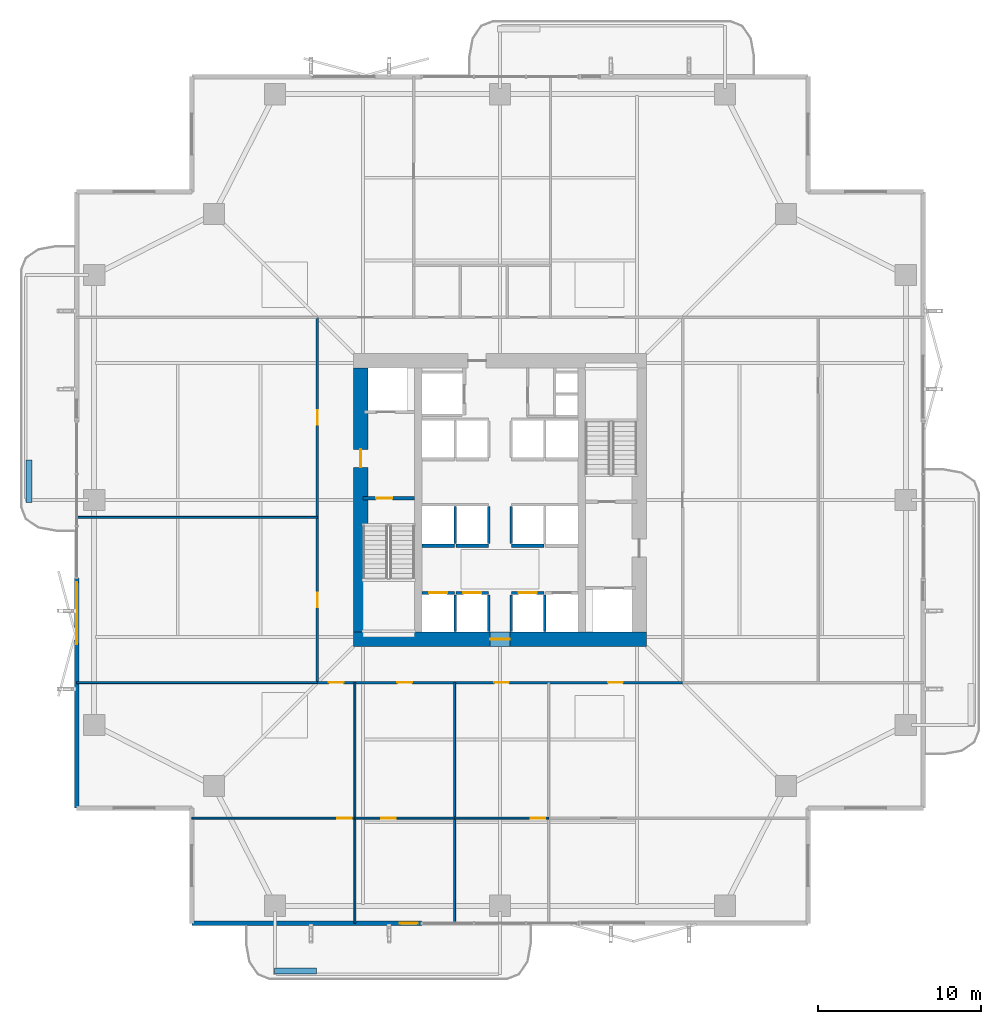
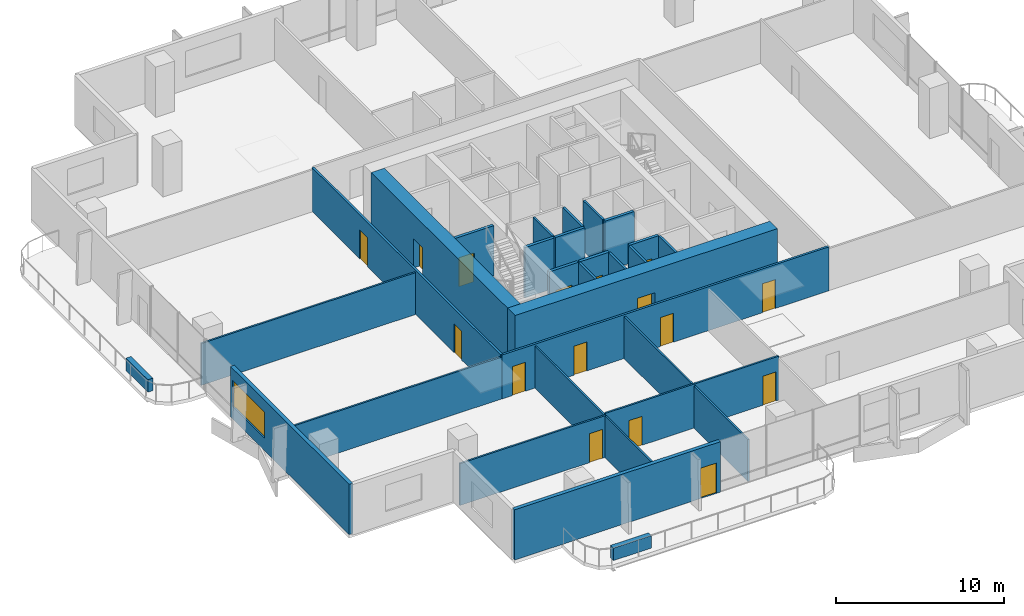
# One storey, part 17 of 23: 29 walls, 16 doors, 1 window, 17 openings.
"""IFC4 building model written with IfcOpenShell, lengths in metres."""

from ifc_helpers import new_model, si_unit, direction, frame, frame_2d, origin, place, context, subcontext, project, spatial, rectangle, extrude, material, layer, layer_set, type_object, element, fill, save


model = new_model("IFC4")

# Units and contexts
model_context = context("Model", 3, precision=1e-05, world=origin(), true_north=direction((0.0, 1.0)))
body_context = subcontext(model_context, "Body", "Model", "MODEL_VIEW")
ifc_project = project(units=[si_unit("LENGTHUNIT", "METRE"), si_unit("AREAUNIT", "SQUARE_METRE"), si_unit("VOLUMEUNIT", "CUBIC_METRE"), si_unit("PLANEANGLEUNIT", "RADIAN"), si_unit("MASSUNIT", "GRAM", prefix="KILO")], contexts=[model_context])

# Site, building, storey
site_placement = place(None, origin())
site = spatial("IfcSite", under=ifc_project, at=site_placement, CompositionType="ELEMENT")
building_placement = place(site_placement, origin())
building = spatial("IfcBuilding", under=site, at=building_placement, Name="Belovzor Exchange Tower", CompositionType="ELEMENT")
storey_placement = place(building_placement, frame((0.0, 0.0, 125.10009765625)))
storey = spatial("IfcBuildingStorey", under=building, at=storey_placement, Name="L30", CompositionType="ELEMENT", Elevation=125.10009765625)

# Wall, opening, door
ifc_material_1 = material(Name="Acoustic Plasterboard on Galvanised Studs", Category="gypsum")
ifc_layer_1 = layer(ifc_material_1, 0.1201171875)
ifc_layer_set_1 = layer_set([ifc_layer_1], Name="Acoustic Plasterboard on Galvanised Studs")
wall_type_1 = type_object("IfcWallType", Name="Acoustic Double-Stud Partition Wall 120", PredefinedType="PARTITIONING", material=ifc_layer_set_1)
wall_1_placement = place(storey_placement, frame((9.89990234375, 9.280029296875, 0.0), z_axis=(0.0, 0.0, 1.0), x_axis=(1.0, 0.0, 0.0)))
wall_1 = element("IfcWall", 1, at=wall_1_placement, inside=storey, type_object=wall_type_1, Name="W-P120 Partition Wall W-L30-SHDIV-0", PredefinedType="PARTITIONING", context=body_context, shape_type="SweptSolid", body=[
    extrude(rectangle(XDim=10.0, YDim=0.1201171875, at=frame_2d((5.0, 0.0))), origin(), (0.0, 0.0, 1.0), 3.034912109375),
])
opening_1_placement = place(wall_1_placement, frame((8.89990234375, 0.0, 0.0)))
opening_1 = element("IfcOpeningElement", 2, at=opening_1_placement, cuts=wall_1, Name="Opening D-INT-090", PredefinedType="OPENING", context=body_context, shape_type="SweptSolid", body=[
    extrude(rectangle(XDim=0.89990234375, YDim=2.10009765625, at=frame_2d((0.449951171875, 1.050048828125))), frame((0.0, 0.070068359375, 0.0), z_axis=(0.0, -1.0, 0.0), x_axis=(1.0, 0.0, 0.0)), (0.0, 0.0, 1.0), 0.14013671875),
])
ifc_material_2 = material(Name="Veneered Hardwood Acoustic Leaf", Category="wood")
door_type_1 = type_object("IfcDoorType", Name="Trading Suite Acoustic Single Door 900x2100", OperationType="NOTDEFINED", PredefinedType="DOOR", material=ifc_material_2)
door_1_placement = place(opening_1_placement, origin())
door_1 = element("IfcDoor", 3, at=door_1_placement, inside=storey, type_object=door_type_1, Name="D-INT-090 Trading Suite Acoustic Single Door 900x2100", OperationType="SINGLE_SWING_LEFT", OverallHeight=2.10009765625, OverallWidth=0.89990234375, PredefinedType="DOOR", context=body_context, shape_type="SweptSolid", body=[
    extrude(rectangle(XDim=0.89990234375, YDim=2.10009765625, at=frame_2d((0.449951171875, 1.050048828125))), frame((0.0, 0.02490234375, 0.0), z_axis=(0.0, -1.0, 0.0), x_axis=(1.0, 0.0, 0.0)), (0.0, 0.0, 1.0), 0.050048828125),
])
fill(opening_1, door_1)

# Wall
wall_2_placement = place(storey_placement, frame((19.89990234375, 2.830078125, 0.0), z_axis=(0.0, 0.0, 1.0), x_axis=(0.0, 1.0, 0.0)))
element("IfcWall", 4, at=wall_2_placement, inside=storey, type_object=wall_type_1, Name="W-P120 Partition Wall W-L30-SDIV-1", PredefinedType="PARTITIONING", context=body_context, shape_type="SweptSolid", body=[
    extrude(rectangle(XDim=14.77001953125, YDim=0.1201171875, at=frame_2d((7.385009765625, 0.0))), origin(), (0.0, 0.0, 1.0), 3.034912109375),
])

# Wall, opening, door
wall_3_placement = place(storey_placement, frame((19.89990234375, 9.280029296875, 0.0), z_axis=(0.0, 0.0, 1.0), x_axis=(1.0, 0.0, 0.0)))
wall_3 = element("IfcWall", 5, at=wall_3_placement, inside=storey, type_object=wall_type_1, Name="W-P120 Partition Wall W-L30-SHDIV-1", PredefinedType="PARTITIONING", context=body_context, shape_type="SweptSolid", body=[
    extrude(rectangle(XDim=6.114990234375, YDim=0.1201171875, at=frame_2d((3.0576171875, 0.0))), origin(), (0.0, 0.0, 1.0), 3.184814453125),
])
opening_2_placement = place(wall_3_placement, frame((1.60400390625, 0.0, 0.0)))
opening_2 = element("IfcOpeningElement", 6, at=opening_2_placement, cuts=wall_3, Name="Opening D-INT-090", PredefinedType="OPENING", context=body_context, shape_type="SweptSolid", body=[
    extrude(rectangle(XDim=0.89990234375, YDim=2.10009765625, at=frame_2d((0.449951171875, 1.050048828125))), frame((0.0, 0.070068359375, 0.0), z_axis=(0.0, -1.0, 0.0), x_axis=(1.0, 0.0, 0.0)), (0.0, 0.0, 1.0), 0.14013671875),
])
door_2_placement = place(opening_2_placement, origin())
door_2 = element("IfcDoor", 7, at=door_2_placement, inside=storey, type_object=door_type_1, Name="D-INT-090 Trading Suite Acoustic Single Door 900x2100", OperationType="SINGLE_SWING_LEFT", OverallHeight=2.10009765625, OverallWidth=0.89990234375, PredefinedType="DOOR", context=body_context, shape_type="SweptSolid", body=[
    extrude(rectangle(XDim=0.89990234375, YDim=2.10009765625, at=frame_2d((0.449951171875, 1.050048828125))), frame((0.0, 0.02490234375, 0.0), z_axis=(0.0, -1.0, 0.0), x_axis=(1.0, 0.0, 0.0)), (0.0, 0.0, 1.0), 0.050048828125),
])
fill(opening_2, door_2)

# Wall
wall_4_placement = place(storey_placement, frame((26.014892578125, 2.830078125, 0.0), z_axis=(0.0, 0.0, 1.0), x_axis=(0.0, 1.0, 0.0)))
element("IfcWall", 8, at=wall_4_placement, inside=storey, type_object=wall_type_1, Name="W-P120 Partition Wall W-L30-SDIV-2", PredefinedType="PARTITIONING", context=body_context, shape_type="SweptSolid", body=[
    extrude(rectangle(XDim=14.77001953125, YDim=0.1201171875, at=frame_2d((7.385009765625, 0.0))), origin(), (0.0, 0.0, 1.0), 3.034912109375),
])

# Wall, opening, door
wall_5_placement = place(storey_placement, frame((26.014892578125, 9.280029296875, 0.0), z_axis=(0.0, 0.0, 1.0), x_axis=(1.0, 0.0, 0.0)))
wall_5 = element("IfcWall", 9, at=wall_5_placement, inside=storey, type_object=wall_type_1, Name="W-P120 Partition Wall W-L30-SHDIV-2", PredefinedType="PARTITIONING", context=body_context, shape_type="SweptSolid", body=[
    extrude(rectangle(XDim=5.76513671875, YDim=0.1201171875, at=frame_2d((2.882568359375, 0.0))), origin(), (0.0, 0.0, 1.0), 3.184814453125),
])
opening_3_placement = place(wall_5_placement, frame((4.6650390625, 0.0, 0.0)))
opening_3 = element("IfcOpeningElement", 10, at=opening_3_placement, cuts=wall_5, Name="Opening D-INT-090", PredefinedType="OPENING", context=body_context, shape_type="SweptSolid", body=[
    extrude(rectangle(XDim=0.89990234375, YDim=2.10009765625, at=frame_2d((0.449951171875, 1.050048828125))), frame((0.0, 0.070068359375, 0.0), z_axis=(0.0, -1.0, 0.0), x_axis=(1.0, 0.0, 0.0)), (0.0, 0.0, 1.0), 0.14013671875),
])
door_3_placement = place(opening_3_placement, origin())
door_3 = element("IfcDoor", 11, at=door_3_placement, inside=storey, type_object=door_type_1, Name="D-INT-090 Trading Suite Acoustic Single Door 900x2100", OperationType="SINGLE_SWING_LEFT", OverallHeight=2.10009765625, OverallWidth=0.89990234375, PredefinedType="DOOR", context=body_context, shape_type="SweptSolid", body=[
    extrude(rectangle(XDim=0.89990234375, YDim=2.10009765625, at=frame_2d((0.449951171875, 1.050048828125))), frame((0.0, 0.02490234375, 0.0), z_axis=(0.0, -1.0, 0.0), x_axis=(1.0, 0.0, 0.0)), (0.0, 0.0, 1.0), 0.050048828125),
])
fill(opening_3, door_3)

# Walls
for number, where, z_axis, x_axis, name in (
    (12, (2.830078125, 17.60009765625, 0.0), (0.0, 0.0, 1.0), (1.0, 0.0, 0.0), "W-P120 Partition Wall W-L30-END-SW"),
    (13, (2.830078125, 27.73193359375, 0.0), (0.0, 0.0, 1.0), (1.0, 0.0, 0.0), "W-P120 Partition Wall W-L30-WDIV-1"),
):
    element("IfcWall", number, at=place(storey_placement, frame(where, z_axis=z_axis, x_axis=x_axis)), inside=storey, type_object=wall_type_1, Name=name, PredefinedType="PARTITIONING", context=body_context, shape_type="SweptSolid", body=[
        extrude(rectangle(XDim=14.77001953125, YDim=0.1201171875, at=frame_2d((7.385009765625, 0.0))), origin(), (0.0, 0.0, 1.0), 3.034912109375),
    ])

# Wall, openings, doors
ifc_material_3 = material(Name="Fire-Rated Gypsum Block and Mineral Wool", Category="gypsum")
ifc_layer_2 = layer(ifc_material_3, 0.14990234375)
ifc_layer_set_2 = layer_set([ifc_layer_2], Name="Fire-Rated Gypsum Block and Mineral Wool")
wall_type_2 = type_object("IfcWallType", Name="Fire-Rated Gypsum Block Corridor Wall 150", PredefinedType="PARTITIONING", material=ifc_layer_set_2)
wall_6_placement = place(storey_placement, frame((17.60009765625, 17.60009765625, 0.0), z_axis=(0.0, 0.0, 1.0), x_axis=(1.0, 0.0, 0.0)))
wall_6 = element("IfcWall", 14, at=wall_6_placement, inside=storey, type_object=wall_type_2, Name="W-P150 Partition Wall W-L30-CS", PredefinedType="PARTITIONING", context=body_context, shape_type="SweptSolid", body=[
    extrude(rectangle(XDim=22.39990234375, YDim=0.14990234375, at=frame_2d((11.199951171875, 0.0))), origin(), (0.0, 0.0, 1.0), 3.184814453125),
])
opening_4_placement = place(wall_6_placement, frame((0.699951171875, 0.0, 0.0)))
opening_4 = element("IfcOpeningElement", 15, at=opening_4_placement, cuts=wall_6, Name="Opening D-INT-090", PredefinedType="OPENING", context=body_context, shape_type="SweptSolid", body=[
    extrude(rectangle(XDim=0.89990234375, YDim=2.10009765625, at=frame_2d((0.449951171875, 1.050048828125))), frame((0.0, 0.0849609375, 0.0), z_axis=(0.0, -1.0, 0.0), x_axis=(1.0, 0.0, 0.0)), (0.0, 0.0, 1.0), 0.169921875),
])
opening_5_placement = place(wall_6_placement, frame((4.906982421875, 0.0, 0.0)))
opening_5 = element("IfcOpeningElement", 16, at=opening_5_placement, cuts=wall_6, Name="Opening D-INT-090", PredefinedType="OPENING", context=body_context, shape_type="SweptSolid", body=[
    extrude(rectangle(XDim=0.89990234375, YDim=2.10009765625, at=frame_2d((0.449951171875, 1.050048828125))), frame((0.0, 0.0849609375, 0.0), z_axis=(0.0, -1.0, 0.0), x_axis=(1.0, 0.0, 0.0)), (0.0, 0.0, 1.0), 0.169921875),
])
opening_6_placement = place(wall_6_placement, frame((10.847900390625, 0.0, 0.0)))
opening_6 = element("IfcOpeningElement", 17, at=opening_6_placement, cuts=wall_6, Name="Opening D-INT-090", PredefinedType="OPENING", context=body_context, shape_type="SweptSolid", body=[
    extrude(rectangle(XDim=0.89990234375, YDim=2.10009765625, at=frame_2d((0.449951171875, 1.050048828125))), frame((0.0, 0.0849609375, 0.0), z_axis=(0.0, -1.0, 0.0), x_axis=(1.0, 0.0, 0.0)), (0.0, 0.0, 1.0), 0.169921875),
])
opening_7_placement = place(wall_6_placement, frame((17.840087890625, 0.0, 0.0)))
opening_7 = element("IfcOpeningElement", 18, at=opening_7_placement, cuts=wall_6, Name="Opening D-INT-090", PredefinedType="OPENING", context=body_context, shape_type="SweptSolid", body=[
    extrude(rectangle(XDim=0.89990234375, YDim=2.10009765625, at=frame_2d((0.449951171875, 1.050048828125))), frame((0.0, 0.0849609375, 0.0), z_axis=(0.0, -1.0, 0.0), x_axis=(1.0, 0.0, 0.0)), (0.0, 0.0, 1.0), 0.169921875),
])
door_4_placement = place(opening_4_placement, origin())
door_4 = element("IfcDoor", 19, at=door_4_placement, inside=storey, type_object=door_type_1, Name="D-INT-090 Trading Suite Acoustic Single Door 900x2100", OperationType="SINGLE_SWING_RIGHT", OverallHeight=2.10009765625, OverallWidth=0.89990234375, PredefinedType="DOOR", context=body_context, shape_type="SweptSolid", body=[
    extrude(rectangle(XDim=0.89990234375, YDim=2.10009765625, at=frame_2d((0.449951171875, 1.050048828125))), frame((0.0, 0.02490234375, 0.0), z_axis=(0.0, -1.0, 0.0), x_axis=(1.0, 0.0, 0.0)), (0.0, 0.0, 1.0), 0.050048828125),
])
fill(opening_4, door_4)
door_5_placement = place(opening_5_placement, origin())
door_5 = element("IfcDoor", 20, at=door_5_placement, inside=storey, type_object=door_type_1, Name="D-INT-090 Trading Suite Acoustic Single Door 900x2100", OperationType="SINGLE_SWING_LEFT", OverallHeight=2.10009765625, OverallWidth=0.89990234375, PredefinedType="DOOR", context=body_context, shape_type="SweptSolid", body=[
    extrude(rectangle(XDim=0.89990234375, YDim=2.10009765625, at=frame_2d((0.449951171875, 1.050048828125))), frame((0.0, 0.02490234375, 0.0), z_axis=(0.0, -1.0, 0.0), x_axis=(1.0, 0.0, 0.0)), (0.0, 0.0, 1.0), 0.050048828125),
])
fill(opening_5, door_5)
door_6_placement = place(opening_6_placement, origin())
door_6 = element("IfcDoor", 21, at=door_6_placement, inside=storey, type_object=door_type_1, Name="D-INT-090 Trading Suite Acoustic Single Door 900x2100", OperationType="SINGLE_SWING_RIGHT", OverallHeight=2.10009765625, OverallWidth=0.89990234375, PredefinedType="DOOR", context=body_context, shape_type="SweptSolid", body=[
    extrude(rectangle(XDim=0.89990234375, YDim=2.10009765625, at=frame_2d((0.449951171875, 1.050048828125))), frame((0.0, 0.02490234375, 0.0), z_axis=(0.0, -1.0, 0.0), x_axis=(1.0, 0.0, 0.0)), (0.0, 0.0, 1.0), 0.050048828125),
])
fill(opening_6, door_6)
door_7_placement = place(opening_7_placement, origin())
door_7 = element("IfcDoor", 22, at=door_7_placement, inside=storey, type_object=door_type_1, Name="D-INT-090 Trading Suite Acoustic Single Door 900x2100", OperationType="SINGLE_SWING_LEFT", OverallHeight=2.10009765625, OverallWidth=0.89990234375, PredefinedType="DOOR", context=body_context, shape_type="SweptSolid", body=[
    extrude(rectangle(XDim=0.89990234375, YDim=2.10009765625, at=frame_2d((0.449951171875, 1.050048828125))), frame((0.0, 0.02490234375, 0.0), z_axis=(0.0, -1.0, 0.0), x_axis=(1.0, 0.0, 0.0)), (0.0, 0.0, 1.0), 0.050048828125),
])
fill(opening_7, door_7)

wall_7_placement = place(storey_placement, frame((17.60009765625, 17.60009765625, 0.0), z_axis=(0.0, 0.0, 1.0), x_axis=(0.0, 1.0, 0.0)))
wall_7 = element("IfcWall", 23, at=wall_7_placement, inside=storey, type_object=wall_type_2, Name="W-P150 Partition Wall W-L30-CW", PredefinedType="PARTITIONING", context=body_context, shape_type="SweptSolid", body=[
    extrude(rectangle(XDim=22.39990234375, YDim=0.14990234375, at=frame_2d((11.199951171875, 0.0))), origin(), (0.0, 0.0, 1.0), 3.184814453125),
])
opening_8_placement = place(wall_7_placement, frame((4.615966796875, 0.0, 0.0)))
opening_8 = element("IfcOpeningElement", 24, at=opening_8_placement, cuts=wall_7, Name="Opening D-INT-090", PredefinedType="OPENING", context=body_context, shape_type="SweptSolid", body=[
    extrude(rectangle(XDim=0.89990234375, YDim=2.10009765625, at=frame_2d((0.449951171875, 1.050048828125))), frame((0.0, 0.0849609375, 0.0), z_axis=(0.0, -1.0, 0.0), x_axis=(1.0, 0.0, 0.0)), (0.0, 0.0, 1.0), 0.169921875),
])
opening_9_placement = place(wall_7_placement, frame((15.81591796875, 0.0, 0.0)))
opening_9 = element("IfcOpeningElement", 25, at=opening_9_placement, cuts=wall_7, Name="Opening D-INT-090", PredefinedType="OPENING", context=body_context, shape_type="SweptSolid", body=[
    extrude(rectangle(XDim=0.89990234375, YDim=2.10009765625, at=frame_2d((0.449951171875, 1.050048828125))), frame((0.0, 0.0849609375, 0.0), z_axis=(0.0, -1.0, 0.0), x_axis=(1.0, 0.0, 0.0)), (0.0, 0.0, 1.0), 0.169921875),
])
door_8_placement = place(opening_8_placement, origin())
door_8 = element("IfcDoor", 26, at=door_8_placement, inside=storey, type_object=door_type_1, Name="D-INT-090 Trading Suite Acoustic Single Door 900x2100", OperationType="SINGLE_SWING_RIGHT", OverallHeight=2.10009765625, OverallWidth=0.89990234375, PredefinedType="DOOR", context=body_context, shape_type="SweptSolid", body=[
    extrude(rectangle(XDim=0.89990234375, YDim=2.10009765625, at=frame_2d((0.449951171875, 1.050048828125))), frame((0.0, 0.02490234375, 0.0), z_axis=(0.0, -1.0, 0.0), x_axis=(1.0, 0.0, 0.0)), (0.0, 0.0, 1.0), 0.050048828125),
])
fill(opening_8, door_8)
door_9_placement = place(opening_9_placement, origin())
door_9 = element("IfcDoor", 27, at=door_9_placement, inside=storey, type_object=door_type_1, Name="D-INT-090 Trading Suite Acoustic Single Door 900x2100", OperationType="SINGLE_SWING_LEFT", OverallHeight=2.10009765625, OverallWidth=0.89990234375, PredefinedType="DOOR", context=body_context, shape_type="SweptSolid", body=[
    extrude(rectangle(XDim=0.89990234375, YDim=2.10009765625, at=frame_2d((0.449951171875, 1.050048828125))), frame((0.0, 0.02490234375, 0.0), z_axis=(0.0, -1.0, 0.0), x_axis=(1.0, 0.0, 0.0)), (0.0, 0.0, 1.0), 0.050048828125),
])
fill(opening_9, door_9)

# Wall, opening, door
ifc_material_4 = material(Name="Precast concrete C40/50", Category="concrete")
ifc_layer_3 = layer(ifc_material_4, 0.260009765625)
ifc_layer_set_3 = layer_set([ifc_layer_3], Name="Precast concrete C40/50")
wall_type_3 = type_object("IfcWallType", Name="Precast Concrete Perimeter Loggia Frame Wall 260", PredefinedType="SOLIDWALL", material=ifc_layer_set_3)
wall_8_placement = place(storey_placement, frame((24.0, 2.830078125, 0.0), z_axis=(0.0, 0.0, 1.0), x_axis=(-1.0, 0.0, 0.0)))
wall_8 = element("IfcWall", 28, at=wall_8_placement, inside=storey, type_object=wall_type_3, Name="W-EXT260 Precast Concrete Perimeter Loggia Frame Wall 260 L30", PredefinedType="SOLIDWALL", context=body_context, shape_type="SweptSolid", body=[
    extrude(rectangle(XDim=14.10009765625, YDim=0.260009765625, at=frame_2d((7.050048828125, 0.0))), origin(), (0.0, 0.0, 1.0), 3.64990234375),
])
opening_10_placement = place(wall_8_placement, frame((0.25, 0.0, 0.0)))
opening_10 = element("IfcOpeningElement", 29, at=opening_10_placement, cuts=wall_8, Name="Opening D-BAL110", PredefinedType="OPENING", context=body_context, shape_type="SweptSolid", body=[
    extrude(rectangle(XDim=1.10009765625, YDim=2.199951171875, at=frame_2d((0.550048828125, 1.10009765625))), frame((0.0, 0.139892578125, 0.0), z_axis=(0.0, -1.0, 0.0), x_axis=(1.0, 0.0, 0.0)), (0.0, 0.0, 1.0), 0.280029296875),
])
ifc_material_5 = material(Name="Thermally Broken Anodised Aluminium and Laminated Glass", Category="aluminium")
door_type_2 = type_object("IfcDoorType", Name="Planted Loggia Terrace Glazed Door 1100x2200", OperationType="SINGLE_SWING_LEFT", PredefinedType="DOOR", material=ifc_material_5)
door_10_placement = place(opening_10_placement, origin())
door_10 = element("IfcDoor", 30, at=door_10_placement, inside=storey, type_object=door_type_2, Name="D-BAL110 Balcony Terrace Door L30 S", OperationType="SINGLE_SWING_LEFT", OverallHeight=2.199951171875, OverallWidth=1.10009765625, PredefinedType="DOOR", context=body_context, shape_type="SweptSolid", body=[
    extrude(rectangle(XDim=1.10009765625, YDim=2.199951171875, at=frame_2d((0.550048828125, 1.10009765625))), frame((0.0, 0.02490234375, 0.0), z_axis=(0.0, -1.0, 0.0), x_axis=(1.0, 0.0, 0.0)), (0.0, 0.0, 1.0), 0.050048828125),
])
fill(opening_10, door_10)

# Wall, opening, window
wall_9_placement = place(storey_placement, frame((2.830078125, 9.89990234375, 0.0), z_axis=(0.0, 0.0, 1.0), x_axis=(0.0, 1.0, 0.0)))
wall_9 = element("IfcWall", 31, at=wall_9_placement, inside=storey, type_object=wall_type_3, Name="W-EXT260 Precast Concrete Perimeter Loggia Frame Wall 260 L30", PredefinedType="SOLIDWALL", context=body_context, shape_type="SweptSolid", body=[
    extrude(rectangle(XDim=14.10009765625, YDim=0.260009765625, at=frame_2d((7.050048828125, 0.0))), origin(), (0.0, 0.0, 1.0), 3.64990234375),
])
opening_11_placement = place(wall_9_placement, frame((10.050048828125, 0.0, 0.89990234375)))
opening_11 = element("IfcOpeningElement", 32, at=opening_11_placement, cuts=wall_9, Name="Opening WN-RIB380", PredefinedType="OPENING", context=body_context, shape_type="SweptSolid", body=[
    extrude(rectangle(XDim=3.800048828125, YDim=1.89990234375, at=frame_2d((1.89990234375, 0.949951171875))), frame((0.0, 0.139892578125, 0.0), z_axis=(0.0, -1.0, 0.0), x_axis=(1.0, 0.0, 0.0)), (0.0, 0.0, 1.0), 0.280029296875),
])
ifc_material_6 = material(Name="Thermally Broken Aluminium and Triple Glazing", Category="aluminium")
window_type = type_object("IfcWindowType", Name="Streamline Moderne Horizontal Ribbon Window 3800x1900", PartitioningType="SINGLE_PANEL", PredefinedType="WINDOW", material=ifc_material_6)
window_placement = place(opening_11_placement, origin())
window = element("IfcWindow", 33, at=window_placement, inside=storey, type_object=window_type, Name="WN-RIB380 Streamline Moderne Horizontal Ribbon Window 3800x1900", OverallHeight=1.89990234375, OverallWidth=3.800048828125, PartitioningType="SINGLE_PANEL", PredefinedType="WINDOW", context=body_context, shape_type="SweptSolid", body=[
    extrude(rectangle(XDim=3.800048828125, YDim=1.89990234375, at=frame_2d((1.89990234375, 0.949951171875))), frame((0.0, 0.030029296875, 0.0), z_axis=(0.0, -1.0, 0.0), x_axis=(1.0, 0.0, 0.0)), (0.0, 0.0, 1.0), 0.06005859375),
])
fill(opening_11, window)

# Walls
ifc_material_7 = material(Name="Precast concrete C40/50", Category="concrete")
ifc_layer_4 = layer(ifc_material_7, 0.35009765625)
ifc_layer_set_4 = layer_set([ifc_layer_4], Name="Precast concrete C40/50")
wall_type_4 = type_object("IfcWallType", Name="Precast Concrete Structural Tree Planter Trough 350", PredefinedType="PARAPET", material=ifc_layer_set_4)
for number, where, z_axis, x_axis, name in (
    (34, (14.949951171875, -0.10009765625, 0.0), (0.0, 0.0, 1.0), (1.0, 0.0, 0.0), "PT-350 Precast Concrete Structural Tree Planter Trough 350 L30"),
    (35, (-0.10009765625, 28.64990234375, 0.0), (0.0, 0.0, 1.0), (0.0, 1.0, 0.0), "PT-350 Precast Concrete Structural Tree Planter Trough 350 L30"),
):
    element("IfcWall", number, at=place(storey_placement, frame(where, z_axis=z_axis, x_axis=x_axis)), inside=storey, type_object=wall_type_4, Name=name, PredefinedType="PARAPET", context=body_context, shape_type="SweptSolid", body=[
        extrude(rectangle(XDim=2.60009765625, YDim=0.35009765625, at=frame_2d((1.300048828125, 0.0))), origin(), (0.0, 0.0, 1.0), 0.89990234375),
    ])
ifc_material_8 = material(Name="Concrete C50/60", Category="concrete")
ifc_layer_5 = layer(ifc_material_8, 0.14990234375)
ifc_layer_set_5 = layer_set([ifc_layer_5], Name="Concrete C50/60")
wall_type_5 = type_object("IfcWallType", Name="Reinforced Concrete Core Riser Shear Wall 150", PredefinedType="SHEAR", material=ifc_layer_set_5)
for number, where, z_axis, x_axis, name in (
    (36, (26.050048828125, 20.719970703125, 0.0), (0.0, 0.0, 1.0), (0.0, 1.0, 0.0), "W-C150S Core Shaft Wall W-SHD-L30-PLL-1"),
    (37, (28.10009765625, 20.719970703125, 0.0), (0.0, 0.0, 1.0), (0.0, 1.0, 0.0), "W-C150S Core Shaft Wall W-SHD-L30-PLL-2"),
    (38, (29.5, 20.719970703125, 0.0), (0.0, 0.0, 1.0), (0.0, 1.0, 0.0), "W-C150S Core Shaft Wall W-SHD-L30-PLL-3"),
    (39, (31.550048828125, 20.719970703125, 0.0), (0.0, 0.0, 1.0), (0.0, 1.0, 0.0), "W-C150S Core Shaft Wall W-SHD-L30-PLL-4"),
):
    element("IfcWall", number, at=place(storey_placement, frame(where, z_axis=z_axis, x_axis=x_axis)), inside=storey, type_object=wall_type_5, Name=name, PredefinedType="SHEAR", context=body_context, shape_type="SweptSolid", body=[
        extrude(rectangle(XDim=2.260009765625, YDim=0.14990234375, at=frame_2d((1.1298828125, 0.0))), origin(), (0.0, 0.0, 1.0), 3.64990234375),
    ])
for number, where, z_axis, x_axis, name in (
    (40, (26.050048828125, 26.1201171875, 0.0), (0.0, 0.0, 1.0), (0.0, 1.0, 0.0), "W-C150S Core Shaft Wall W-SHD-L30-PLM-1"),
    (41, (28.10009765625, 26.1201171875, 0.0), (0.0, 0.0, 1.0), (0.0, 1.0, 0.0), "W-C150S Core Shaft Wall W-SHD-L30-PLM-2"),
    (42, (29.5, 26.1201171875, 0.0), (0.0, 0.0, 1.0), (0.0, 1.0, 0.0), "W-C150S Core Shaft Wall W-SHD-L30-PLM-3"),
):
    element("IfcWall", number, at=place(storey_placement, frame(where, z_axis=z_axis, x_axis=x_axis)), inside=storey, type_object=wall_type_5, Name=name, PredefinedType="SHEAR", context=body_context, shape_type="SweptSolid", body=[
        extrude(rectangle(XDim=2.27978515625, YDim=0.14990234375, at=frame_2d((1.139892578125, 0.0))), origin(), (0.0, 0.0, 1.0), 3.64990234375),
    ])

# Wall, opening, door
ifc_material_9 = material(Name="Concrete C50/60", Category="concrete")
ifc_layer_6 = layer(ifc_material_9, 0.199951171875)
ifc_layer_set_6 = layer_set([ifc_layer_6], Name="Concrete C50/60")
wall_type_6 = type_object("IfcWallType", Name="Reinforced Concrete Core Shaft Shear Wall 200", PredefinedType="SHEAR", material=ifc_layer_set_6)
wall_10_placement = place(storey_placement, frame((20.39990234375, 28.89990234375, 0.0), z_axis=(0.0, 0.0, 1.0), x_axis=(1.0, 0.0, 0.0)))
wall_10 = element("IfcWall", 43, at=wall_10_placement, inside=storey, type_object=wall_type_6, Name="W-C200S Core Shaft Wall W-CORE-L30-FFLW1", PredefinedType="SHEAR", context=body_context, shape_type="SweptSolid", body=[
    extrude(rectangle(XDim=3.150146484375, YDim=0.199951171875, at=frame_2d((1.5751953125, 0.0))), origin(), (0.0, 0.0, 1.0), 3.64990234375),
])
opening_12_placement = place(wall_10_placement, frame((0.800048828125, 0.0, 0.0)))
opening_12 = element("IfcOpeningElement", 44, at=opening_12_placement, cuts=wall_10, Name="Opening D-FD90-100", PredefinedType="OPENING", context=body_context, shape_type="SweptSolid", body=[
    extrude(rectangle(XDim=1.0, YDim=2.10009765625, at=frame_2d((0.5, 1.050048828125))), frame((0.0, 0.10986328125, 0.0), z_axis=(0.0, -1.0, 0.0), x_axis=(1.0, 0.0, 0.0)), (0.0, 0.0, 1.0), 0.219970703125),
])
ifc_material_10 = material(Name="Fire-Rated Galvanised Steel Leaf", Category="steel")
door_type_3 = type_object("IfcDoorType", Name="Protected Stairwell Single Fire Door 1000x2100", OperationType="NOTDEFINED", PredefinedType="DOOR", material=ifc_material_10)
door_11_placement = place(opening_12_placement, origin())
door_11 = element("IfcDoor", 45, at=door_11_placement, inside=storey, type_object=door_type_3, Name="D-FD90-100 Protected Stairwell Single Fire Door 1000x2100", OperationType="SINGLE_SWING_RIGHT", OverallHeight=2.10009765625, OverallWidth=1.0, PredefinedType="DOOR", context=body_context, shape_type="SweptSolid", body=[
    extrude(rectangle(XDim=1.0, YDim=2.10009765625, at=frame_2d((0.5, 1.050048828125))), frame((0.0, 0.02490234375, 0.0), z_axis=(0.0, -1.0, 0.0), x_axis=(1.0, 0.0, 0.0)), (0.0, 0.0, 1.0), 0.050048828125),
])
fill(opening_12, door_11)

wall_11_placement = place(storey_placement, frame((24.0, 23.10009765625, 0.0), z_axis=(0.0, 0.0, 1.0), x_axis=(1.0, 0.0, 0.0)))
wall_11 = element("IfcWall", 46, at=wall_11_placement, inside=storey, type_object=wall_type_6, Name="W-C200S Core Shaft Wall W-SH-L30-PL-L1", PredefinedType="SHEAR", context=body_context, shape_type="SweptSolid", body=[
    extrude(rectangle(XDim=2.0, YDim=0.199951171875, at=frame_2d((1.0, 0.0))), origin(), (0.0, 0.0, 1.0), 3.64990234375),
])
opening_13_placement = place(wall_11_placement, frame((0.449951171875, 0.0, 0.0)))
opening_13 = element("IfcOpeningElement", 47, at=opening_13_placement, cuts=wall_11, Name="Opening LD-110", PredefinedType="OPENING", context=body_context, shape_type="SweptSolid", body=[
    extrude(rectangle(XDim=1.10009765625, YDim=2.14990234375, at=frame_2d((0.550048828125, 1.074951171875))), frame((0.0, 0.10986328125, 0.0), z_axis=(0.0, -1.0, 0.0), x_axis=(1.0, 0.0, 0.0)), (0.0, 0.0, 1.0), 0.219970703125),
])
ifc_material_11 = material(Name="Stainless Steel Grade 304", Category="steel")
door_type_4 = type_object("IfcDoorType", Name="Automated Stainless Steel Lift Landing Door 1100x2150", OperationType="SLIDING_TO_RIGHT", PredefinedType="DOOR", material=ifc_material_11)
door_12_placement = place(opening_13_placement, origin())
door_12 = element("IfcDoor", 48, at=door_12_placement, inside=storey, type_object=door_type_4, Name="LD-110 Automated Stainless Steel Lift Landing Door 1100x2150", OperationType="SLIDING_TO_RIGHT", OverallHeight=2.14990234375, OverallWidth=1.10009765625, PredefinedType="DOOR", context=body_context, shape_type="SweptSolid", body=[
    extrude(rectangle(XDim=1.10009765625, YDim=2.14990234375, at=frame_2d((0.550048828125, 1.074951171875))), frame((0.0, 0.02490234375, 0.0), z_axis=(0.0, -1.0, 0.0), x_axis=(1.0, 0.0, 0.0)), (0.0, 0.0, 1.0), 0.050048828125),
])
fill(opening_13, door_12)

wall_12_placement = place(storey_placement, frame((26.10009765625, 23.10009765625, 0.0), z_axis=(0.0, 0.0, 1.0), x_axis=(1.0, 0.0, 0.0)))
wall_12 = element("IfcWall", 49, at=wall_12_placement, inside=storey, type_object=wall_type_6, Name="W-C200S Core Shaft Wall W-SH-L30-PL-L2", PredefinedType="SHEAR", context=body_context, shape_type="SweptSolid", body=[
    extrude(rectangle(XDim=2.0, YDim=0.199951171875, at=frame_2d((1.0, 0.0))), origin(), (0.0, 0.0, 1.0), 3.64990234375),
])
opening_14_placement = place(wall_12_placement, frame((0.449951171875, 0.0, 0.0)))
opening_14 = element("IfcOpeningElement", 50, at=opening_14_placement, cuts=wall_12, Name="Opening LD-110", PredefinedType="OPENING", context=body_context, shape_type="SweptSolid", body=[
    extrude(rectangle(XDim=1.10009765625, YDim=2.14990234375, at=frame_2d((0.550048828125, 1.074951171875))), frame((0.0, 0.10986328125, 0.0), z_axis=(0.0, -1.0, 0.0), x_axis=(1.0, 0.0, 0.0)), (0.0, 0.0, 1.0), 0.219970703125),
])
door_13_placement = place(opening_14_placement, origin())
door_13 = element("IfcDoor", 51, at=door_13_placement, inside=storey, type_object=door_type_4, Name="LD-110 Automated Stainless Steel Lift Landing Door 1100x2150", OperationType="SLIDING_TO_RIGHT", OverallHeight=2.14990234375, OverallWidth=1.10009765625, PredefinedType="DOOR", context=body_context, shape_type="SweptSolid", body=[
    extrude(rectangle(XDim=1.10009765625, YDim=2.14990234375, at=frame_2d((0.550048828125, 1.074951171875))), frame((0.0, 0.02490234375, 0.0), z_axis=(0.0, -1.0, 0.0), x_axis=(1.0, 0.0, 0.0)), (0.0, 0.0, 1.0), 0.050048828125),
])
fill(opening_14, door_13)

wall_13_placement = place(storey_placement, frame((29.5, 23.10009765625, 0.0), z_axis=(0.0, 0.0, 1.0), x_axis=(1.0, 0.0, 0.0)))
wall_13 = element("IfcWall", 52, at=wall_13_placement, inside=storey, type_object=wall_type_6, Name="W-C200S Core Shaft Wall W-SH-L30-PL-L3", PredefinedType="SHEAR", context=body_context, shape_type="SweptSolid", body=[
    extrude(rectangle(XDim=2.0, YDim=0.199951171875, at=frame_2d((1.0, 0.0))), origin(), (0.0, 0.0, 1.0), 3.64990234375),
])
opening_15_placement = place(wall_13_placement, frame((0.449951171875, 0.0, 0.0)))
opening_15 = element("IfcOpeningElement", 53, at=opening_15_placement, cuts=wall_13, Name="Opening LD-110", PredefinedType="OPENING", context=body_context, shape_type="SweptSolid", body=[
    extrude(rectangle(XDim=1.10009765625, YDim=2.14990234375, at=frame_2d((0.550048828125, 1.074951171875))), frame((0.0, 0.10986328125, 0.0), z_axis=(0.0, -1.0, 0.0), x_axis=(1.0, 0.0, 0.0)), (0.0, 0.0, 1.0), 0.219970703125),
])
door_14_placement = place(opening_15_placement, origin())
door_14 = element("IfcDoor", 54, at=door_14_placement, inside=storey, type_object=door_type_4, Name="LD-110 Automated Stainless Steel Lift Landing Door 1100x2150", OperationType="SLIDING_TO_RIGHT", OverallHeight=2.14990234375, OverallWidth=1.10009765625, PredefinedType="DOOR", context=body_context, shape_type="SweptSolid", body=[
    extrude(rectangle(XDim=1.10009765625, YDim=2.14990234375, at=frame_2d((0.550048828125, 1.074951171875))), frame((0.0, 0.02490234375, 0.0), z_axis=(0.0, -1.0, 0.0), x_axis=(1.0, 0.0, 0.0)), (0.0, 0.0, 1.0), 0.050048828125),
])
fill(opening_15, door_14)

# Walls
for number, where, z_axis, x_axis, name in (
    (55, (24.0, 26.0, 0.0), (0.0, 0.0, 1.0), (1.0, 0.0, 0.0), "W-C200S Core Shaft Wall W-SH-L30-PL-M1"),
    (56, (26.10009765625, 26.0, 0.0), (0.0, 0.0, 1.0), (1.0, 0.0, 0.0), "W-C200S Core Shaft Wall W-SH-L30-PL-M2"),
    (57, (29.5, 26.0, 0.0), (0.0, 0.0, 1.0), (1.0, 0.0, 0.0), "W-C200S Core Shaft Wall W-SH-L30-PL-M3"),
):
    element("IfcWall", number, at=place(storey_placement, frame(where, z_axis=z_axis, x_axis=x_axis)), inside=storey, type_object=wall_type_6, Name=name, PredefinedType="SHEAR", context=body_context, shape_type="SweptSolid", body=[
        extrude(rectangle(XDim=2.0, YDim=0.199951171875, at=frame_2d((1.0, 0.0))), origin(), (0.0, 0.0, 1.0), 3.64990234375),
    ])

# Wall, opening, door
ifc_material_12 = material(Name="Concrete C60/75", Category="concrete")
ifc_layer_7 = layer(ifc_material_12, 0.89990234375)
ifc_layer_set_7 = layer_set([ifc_layer_7], Name="Concrete C60/75")
wall_type_7 = type_object("IfcWallType", Name="Reinforced Concrete Core Shear Wall 900", PredefinedType="SHEAR", material=ifc_layer_set_7)
wall_14_placement = place(storey_placement, frame((19.800048828125, 20.25, 0.0), z_axis=(0.0, 0.0, 1.0), x_axis=(1.0, 0.0, 0.0)))
wall_14 = element("IfcWall", 58, at=wall_14_placement, inside=storey, type_object=wall_type_7, Name="CW-S090 Core Shear Wall L30 S", PredefinedType="SHEAR", context=body_context, shape_type="SweptSolid", body=[
    extrude(rectangle(XDim=18.0, YDim=0.89990234375, at=frame_2d((9.0, 0.0))), origin(), (0.0, 0.0, 1.0), 3.89990234375),
])
opening_16_placement = place(wall_14_placement, frame((8.39990234375, 0.0, 0.0)))
opening_16 = element("IfcOpeningElement", 59, at=opening_16_placement, cuts=wall_14, Name="Opening D-FD90-120", PredefinedType="OPENING", context=body_context, shape_type="SweptSolid", body=[
    extrude(rectangle(XDim=1.199951171875, YDim=2.199951171875, at=frame_2d((0.60009765625, 1.10009765625))), frame((0.0, 0.4599609375, 0.0), z_axis=(0.0, -1.0, 0.0), x_axis=(1.0, 0.0, 0.0)), (0.0, 0.0, 1.0), 0.919921875),
])
ifc_material_13 = material(Name="Fire-Rated Galvanised Steel Leaf", Category="steel")
door_type_5 = type_object("IfcDoorType", Name="Heavy Plant & Foyer Fire Door 1200x2200", OperationType="NOTDEFINED", PredefinedType="DOOR", material=ifc_material_13)
door_15_placement = place(opening_16_placement, origin())
door_15 = element("IfcDoor", 60, at=door_15_placement, inside=storey, type_object=door_type_5, Name="D-FD90-120 Heavy Plant & Foyer Fire Door 1200x2200", OperationType="SINGLE_SWING_LEFT", OverallHeight=2.199951171875, OverallWidth=1.199951171875, PredefinedType="DOOR", context=body_context, shape_type="SweptSolid", body=[
    extrude(rectangle(XDim=1.199951171875, YDim=2.199951171875, at=frame_2d((0.60009765625, 1.10009765625))), frame((0.0, 0.02490234375, 0.0), z_axis=(0.0, -1.0, 0.0), x_axis=(1.0, 0.0, 0.0)), (0.0, 0.0, 1.0), 0.050048828125),
])
fill(opening_16, door_15)

wall_15_placement = place(storey_placement, frame((20.25, 20.699951171875, 0.0), z_axis=(0.0, 0.0, 1.0), x_axis=(0.0, 1.0, 0.0)))
wall_15 = element("IfcWall", 61, at=wall_15_placement, inside=storey, type_object=wall_type_7, Name="CW-S090 Core Shear Wall L30 W", PredefinedType="SHEAR", context=body_context, shape_type="SweptSolid", body=[
    extrude(rectangle(XDim=16.199951171875, YDim=0.89990234375, at=frame_2d((8.10009765625, 0.0))), origin(), (0.0, 0.0, 1.0), 3.89990234375),
])
opening_17_placement = place(wall_15_placement, frame((10.10009765625, 0.0, 0.0)))
opening_17 = element("IfcOpeningElement", 62, at=opening_17_placement, cuts=wall_15, Name="Opening D-FD90-110", PredefinedType="OPENING", context=body_context, shape_type="SweptSolid", body=[
    extrude(rectangle(XDim=1.10009765625, YDim=2.14990234375, at=frame_2d((0.550048828125, 1.074951171875))), frame((0.0, 0.4599609375, 0.0), z_axis=(0.0, -1.0, 0.0), x_axis=(1.0, 0.0, 0.0)), (0.0, 0.0, 1.0), 0.919921875),
])
ifc_material_14 = material(Name="Fire-Rated Galvanised Steel Leaf", Category="steel")
door_type_6 = type_object("IfcDoorType", Name="Protected Escape Vestibule Fire Door 1100x2150", OperationType="NOTDEFINED", PredefinedType="DOOR", material=ifc_material_14)
door_16_placement = place(opening_17_placement, origin())
door_16 = element("IfcDoor", 63, at=door_16_placement, inside=storey, type_object=door_type_6, Name="D-FD90-110 Protected Escape Vestibule Fire Door 1100x2150", OperationType="SINGLE_SWING_LEFT", OverallHeight=2.14990234375, OverallWidth=1.10009765625, PredefinedType="DOOR", context=body_context, shape_type="SweptSolid", body=[
    extrude(rectangle(XDim=1.10009765625, YDim=2.14990234375, at=frame_2d((0.550048828125, 1.074951171875))), frame((0.0, 0.02490234375, 0.0), z_axis=(0.0, -1.0, 0.0), x_axis=(1.0, 0.0, 0.0)), (0.0, 0.0, 1.0), 0.050048828125),
])
fill(opening_17, door_16)

save(model, "model.ifc")
